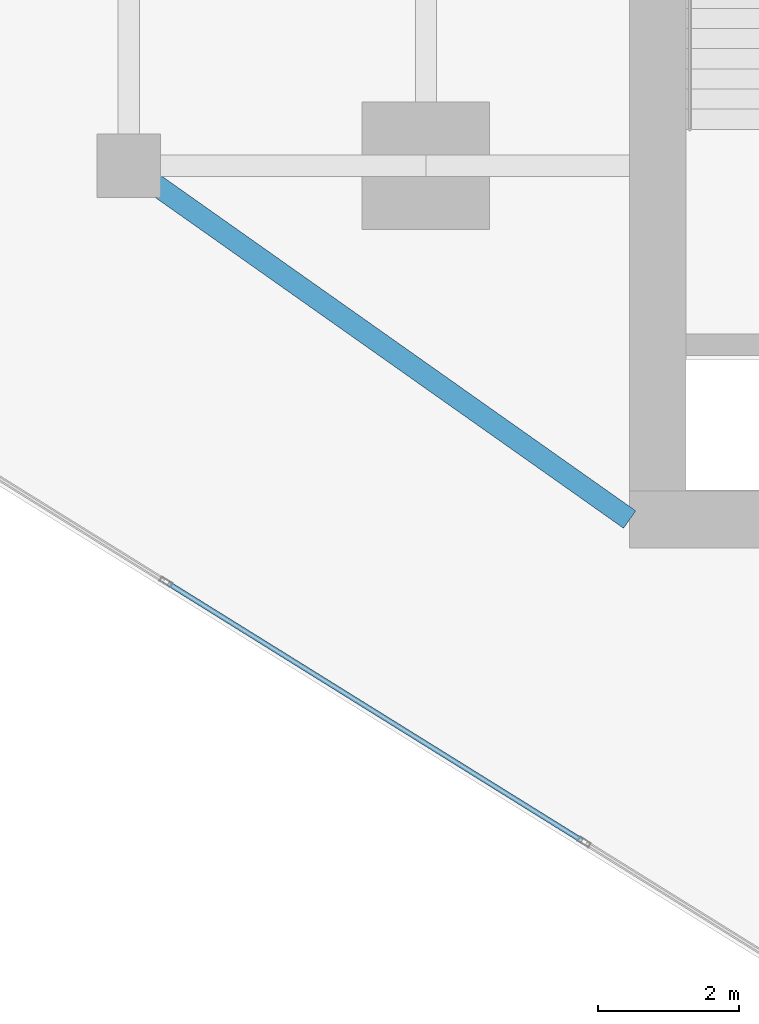
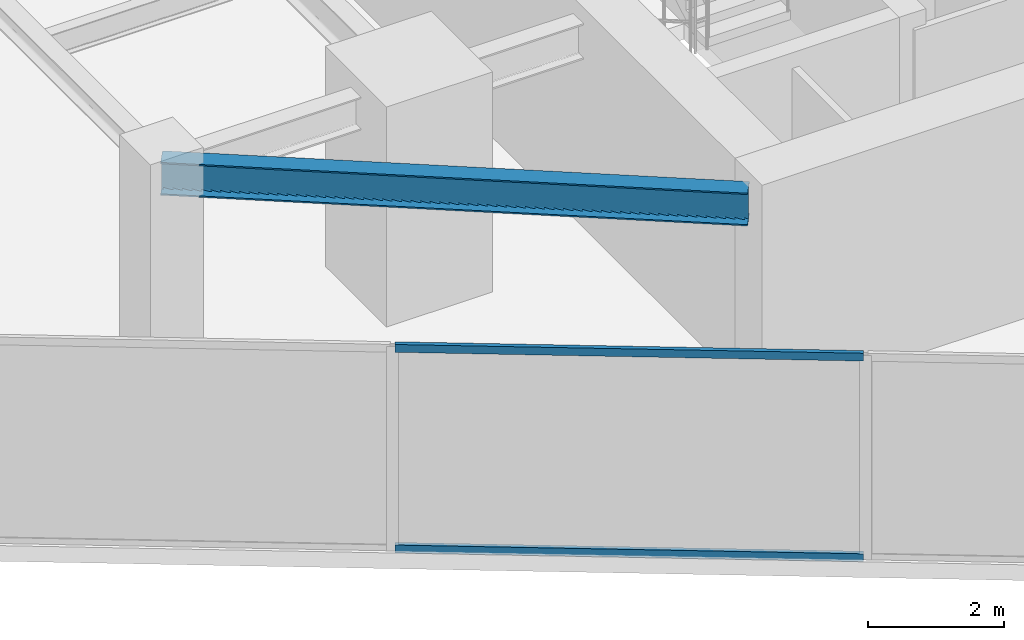
# One storey, part 4 of 25: 2 members, 1 beam, 1 element without a shape of its own.
"""IFC4 building model written with IfcOpenShell, lengths in metres."""

import ifcopenshell
import ifcopenshell.guid

model = None  # the IFC model being written
_history = None  # IfcOwnerHistory: only IFC2X3 demands one
_inside = {}  # id of a spatial element -> (the spatial element, [elements in it])
_under = {}  # id of a project, library or spatial element -> (it, [spatial elements below it])
_declared = {}  # id of a project -> (the project, [libraries it declares])
_typed = {}  # id of a type object -> (the type object, [elements of that type])
_made_of = {}  # id of a material, layer set ... -> (it, [elements and type objects made of it])


def new_model(schema):
    """Start an empty IFC model of exactly this schema.

    Asked for "IFC4X3", IfcOpenShell would pick the latest addendum, in which some entities
    have other attributes; the version numbers below select the first issue.
    IFC2X3 requires an IfcOwnerHistory on every rooted entity: one is made here for all.
    """
    global model, _history
    if schema == "IFC4X3":
        model = ifcopenshell.file(schema_version=(4, 3, 0, 0))
    else:
        model = ifcopenshell.file(schema=schema)
    _inside.clear()
    _under.clear()
    _declared.clear()
    _typed.clear()
    _made_of.clear()
    _history = None
    if model.schema == "IFC2X3":
        org = make("IfcOrganization", Name="unknown")
        user = make(
            "IfcPersonAndOrganization",
            ThePerson=make("IfcPerson", FamilyName="unknown"),
            TheOrganization=org,
        )
        app = make(
            "IfcApplication",
            ApplicationDeveloper=org,
            Version="unknown",
            ApplicationFullName="unknown",
            ApplicationIdentifier="unknown",
        )
        _history = make(
            "IfcOwnerHistory",
            OwningUser=user,
            OwningApplication=app,
            ChangeAction="ADDED",
            CreationDate=0,
        )
    return model


def make(cls, **values):
    """One entity of the class cls with the attributes given. An attribute that is None is left unset."""
    return model.create_entity(
        cls, **{name: value for name, value in values.items() if value is not None}
    )


def rooted(cls, **values):
    """An entity with a GlobalId (a new one), such as an element, a storey or a relation."""
    return make(cls, GlobalId=ifcopenshell.guid.new(), OwnerHistory=_history, **values)


def si_unit(unit_type, name, prefix=None):
    """IfcSIUnit, for example si_unit("LENGTHUNIT", "METRE", prefix="MILLI")."""
    return make("IfcSIUnit", UnitType=unit_type, Prefix=prefix, Name=name)


def assignment(units):
    """IfcUnitAssignment: the units of a project."""
    return None if units is None else make("IfcUnitAssignment", Units=units)


def point(xyz):
    """IfcCartesianPoint."""
    return None if xyz is None else make("IfcCartesianPoint", Coordinates=xyz)


def direction(xyz):
    """IfcDirection."""
    return None if xyz is None else make("IfcDirection", DirectionRatios=xyz)


def frame(location, z_axis=None, x_axis=None):
    """IfcAxis2Placement3D, a coordinate frame: its origin and axes. An axis left out is left unset."""
    return make(
        "IfcAxis2Placement3D",
        Location=point(location),
        Axis=direction(z_axis),
        RefDirection=direction(x_axis),
    )


def frame_2d(location, x_axis=None):
    """IfcAxis2Placement2D, a coordinate frame in the plane: its origin and x axis."""
    return make(
        "IfcAxis2Placement2D", Location=point(location), RefDirection=direction(x_axis)
    )


def origin():
    """The frame at (0, 0, 0) with its axes left unset."""
    return frame((0.0, 0.0, 0.0))


def origin_2d():
    """The frame at (0, 0) in the plane with its x axis left unset."""
    return frame_2d((0.0, 0.0))


def place(relative_to, where):
    """IfcLocalPlacement: puts the frame where relative to a parent placement (None: the world)."""
    return make(
        "IfcLocalPlacement", PlacementRelTo=relative_to, RelativePlacement=where
    )


def context(
    kind, dimensions, precision=None, world=None, true_north=None, identifier=None
):
    """IfcGeometricRepresentationContext, for example the 3D "Model" context."""
    return make(
        "IfcGeometricRepresentationContext",
        ContextIdentifier=identifier,
        ContextType=kind,
        CoordinateSpaceDimension=dimensions,
        Precision=precision,
        WorldCoordinateSystem=world,
        TrueNorth=true_north,
    )


def subcontext(parent, identifier, kind, view, scale=None):
    """IfcGeometricRepresentationSubContext, for example "Body" below "Model"."""
    return make(
        "IfcGeometricRepresentationSubContext",
        ContextIdentifier=identifier,
        ContextType=kind,
        ParentContext=parent,
        TargetScale=scale,
        TargetView=view,
    )


def project(units=None, contexts=None):
    """IfcProject with its units and contexts."""
    return rooted(
        "IfcProject",
        Name="project",
        RepresentationContexts=contexts,
        UnitsInContext=assignment(units),
    )


def spatial(cls, under=None, at=None, **own):
    """A site, building, storey or space (cls), placed at a placement, below another one or the project."""
    s = rooted(cls, ObjectPlacement=at, **own)
    if under is not None:
        _under.setdefault(under.id(), (under, []))[1].append(s)
    return s


def profile(cls, at=None, kind="AREA", **sizes):
    """A parametric profile (cls). Its sizes go by their IFC names, for example OverallWidth=200.0."""
    return make(cls, ProfileType=kind, Position=at, **sizes)


def hollow_rectangle(**sizes):
    """IfcRectangleHollowProfileDef."""
    return profile("IfcRectangleHollowProfileDef", **sizes)


def i_section(**sizes):
    """IfcIShapeProfileDef."""
    return profile("IfcIShapeProfileDef", **sizes)


def extrude(swept, where, along, depth):
    """IfcExtrudedAreaSolid: the profile swept, set in the frame where, extruded along a direction by depth."""
    return make(
        "IfcExtrudedAreaSolid",
        SweptArea=swept,
        Position=where,
        ExtrudedDirection=direction(along),
        Depth=depth,
    )


def shape(context_of_items, identifier, shape_type, items):
    """IfcShapeRepresentation: the items that make up one representation, for example the "Body"."""
    return make(
        "IfcShapeRepresentation",
        ContextOfItems=context_of_items,
        RepresentationIdentifier=identifier,
        RepresentationType=shape_type,
        Items=items,
    )


def source(mapping_origin, context_of_items, identifier, shape_type, items):
    """IfcRepresentationMap: a shape defined once, which mapped items show again and again."""
    return make(
        "IfcRepresentationMap",
        MappingOrigin=mapping_origin,
        MappedRepresentation=shape(context_of_items, identifier, shape_type, items),
    )


def transform(
    local_origin,
    x_axis=None,
    y_axis=None,
    z_axis=None,
    scale=None,
    scale2=None,
    scale3=None,
    uniform=True,
):
    """IfcCartesianTransformationOperator3D, or its non-uniform kind. x_axis, y_axis, z_axis: its Axis1, 2, 3."""
    if uniform:
        return make(
            "IfcCartesianTransformationOperator3D",
            Axis1=direction(x_axis),
            Axis2=direction(y_axis),
            LocalOrigin=point(local_origin),
            Scale=scale,
            Axis3=direction(z_axis),
        )
    return make(
        "IfcCartesianTransformationOperator3DnonUniform",
        Axis1=direction(x_axis),
        Axis2=direction(y_axis),
        LocalOrigin=point(local_origin),
        Scale=scale,
        Axis3=direction(z_axis),
        Scale2=scale2,
        Scale3=scale3,
    )


def mapped(mapping_source, mapping_target):
    """IfcMappedItem: shows the shape of a source again, moved by a transform."""
    return make(
        "IfcMappedItem", MappingSource=mapping_source, MappingTarget=mapping_target
    )


def material(Name=None, Category=None):
    """IfcMaterial."""
    return make("IfcMaterial", Name=Name, Category=Category)


def material_profile(
    of_material, cross_section, Name=None, Category=None, Priority=None
):
    """IfcMaterialProfile: a cross section and its material."""
    return make(
        "IfcMaterialProfile",
        Name=Name,
        Material=of_material,
        Profile=cross_section,
        Priority=Priority,
        Category=Category,
    )


def profile_set(profiles, Name=None, composite=None):
    """IfcMaterialProfileSet."""
    return make(
        "IfcMaterialProfileSet",
        Name=Name,
        MaterialProfiles=profiles,
        CompositeProfile=composite,
    )


def made_of(thing, what):
    """Note that an element or type object is made of a material, layer set ...; save() writes the relation."""
    if what is not None:
        _made_of.setdefault(what.id(), (what, []))[1].append(thing)
    return thing


def type_object(cls, material=None, **own):
    """A type object (cls), such as IfcWallType, which elements share."""
    return made_of(rooted(cls, **own), material)


def type_shapes(of_type, sources):
    """Give a type object the sources (RepresentationMaps) that its elements show as mapped items."""
    of_type.RepresentationMaps = sources


def element(
    cls,
    number,
    at=None,
    inside=None,
    cuts=None,
    type_object=None,
    material=None,
    context=None,
    identifier="Body",
    shape_type=None,
    held_by="IfcProductDefinitionShape",
    body=None,
    shapes=None,
    **own,
):
    """One element of the class cls, such as IfcWall. Its Tag is "e" and its number.

    at: its placement. inside: the storey or other place that contains it. cuts: it is an
    opening in that element (IfcRelVoidsElement). A single representation is given by context,
    identifier, shape_type and body (its items); several are given by shapes. held_by: the class
    of the entity that holds the representations. save() writes the other relations.
    """
    e = rooted(cls, Tag="e%d" % number, ObjectPlacement=at, **own)
    if body is not None:
        shapes = [shape(context, identifier, shape_type, body)]
    if shapes is not None:
        e.Representation = make(held_by, Representations=shapes)
    if inside is not None:
        _inside.setdefault(inside.id(), (inside, []))[1].append(e)
    if cuts is not None:
        rooted(
            "IfcRelVoidsElement", RelatingBuildingElement=cuts, RelatedOpeningElement=e
        )
    if type_object is not None:
        _typed.setdefault(type_object.id(), (type_object, []))[1].append(e)
    return made_of(e, material)


def aggregate(whole, parts):
    """IfcRelAggregates: a whole, such as a stair, and the parts it consists of."""
    return rooted("IfcRelAggregates", RelatingObject=whole, RelatedObjects=parts)


def save(model, path):
    """Write the relations noted so far, then the file.

    IfcRelAggregates (storeys below a building ...), IfcRelContainedInSpatialStructure (elements
    in a storey), IfcRelDefinesByType, IfcRelAssociatesMaterial and IfcRelDeclares: one each for
    every whole, place, type object, material and project.
    """
    for whole, parts in _under.values():
        aggregate(whole, parts)
    for where, things in _inside.values():
        rooted(
            "IfcRelContainedInSpatialStructure",
            RelatedElements=things,
            RelatingStructure=where,
        )
    for kind, things in _typed.values():
        rooted("IfcRelDefinesByType", RelatedObjects=things, RelatingType=kind)
    for what, things in _made_of.values():
        rooted("IfcRelAssociatesMaterial", RelatedObjects=things, RelatingMaterial=what)
    for by, libraries in _declared.values():
        rooted("IfcRelDeclares", RelatingContext=by, RelatedDefinitions=libraries)
    model.write(path)


model = new_model("IFC4")

# Units and contexts
model_context = context("Model", 3, precision=1e-05, world=origin(), true_north=direction((0.0, 1.0)))
body_context = subcontext(model_context, "Body", "Model", "MODEL_VIEW")
ifc_project = project(units=[si_unit("LENGTHUNIT", "METRE"), si_unit("AREAUNIT", "SQUARE_METRE"), si_unit("VOLUMEUNIT", "CUBIC_METRE"), si_unit("PLANEANGLEUNIT", "RADIAN"), si_unit("MASSUNIT", "GRAM", prefix="KILO")], contexts=[model_context])

# Site, building, storey
site_placement = place(None, origin())
site = spatial("IfcSite", under=ifc_project, at=site_placement, CompositionType="ELEMENT")
building_placement = place(site_placement, origin())
building = spatial("IfcBuilding", under=site, at=building_placement, Name="Krantzveldt Concourse Tower", CompositionType="ELEMENT")
storey_placement = place(building_placement, frame((0.0, 0.0, 181.75)))
storey = spatial("IfcBuildingStorey", under=building, at=storey_placement, Name="L44", CompositionType="ELEMENT", Elevation=181.75)

# Beam
ifc_material_1 = material(Name="Steel S355JR", Category="steel")
ifc_material_profile_1 = material_profile(ifc_material_1, i_section(OverallWidth=0.300048828125, OverallDepth=0.590087890625, WebThickness=0.012939453125, FlangeThickness=0.02490234375, FilletRadius=0.027099609375, at=origin_2d()), Name="Steel S355JR", Category="steel")
ifc_profile_set_1 = profile_set([ifc_material_profile_1], Name="Steel S355JR - HEA 600")
beam_type = type_object("IfcBeamType", Name="BM-B-HEA600", PredefinedType="BEAM", material=ifc_profile_set_1)
shared_shape_1 = source(origin(), body_context, "Body", "SweptSolid", [
    extrude(i_section(OverallWidth=0.300048828125, OverallDepth=0.590087890625, WebThickness=0.012939453125, FlangeThickness=0.02490234375, FilletRadius=0.027099609375, at=origin_2d()), origin(), (0.0, 0.0, 1.0), 8.667724609375),
])
type_shapes(beam_type, [shared_shape_1])
beam_placement = place(storey_placement, frame((21.0, 15.89990234375, 3.375), z_axis=(0.81684294656, -0.576860122261, 0.0), x_axis=(0.576860122261, 0.81684294656, 0.0)))
element("IfcBeam", 1, at=beam_placement, inside=storey, type_object=beam_type, Name="L44 Tower Girder BR-CSW", PredefinedType="BEAM", context=body_context, shape_type="MappedRepresentation", body=[
    mapped(shared_shape_1, transform((0.0, 0.0, 0.0), x_axis=(1.0, 0.0, 0.0), y_axis=(0.0, 1.0, 0.0), z_axis=(0.0, 0.0, 1.0), scale=1.0)),
])

# Curtain wall, members
ifc_material_2 = material(Name="Anodised aluminium 6063-T6", Category="aluminium")
curtain_wall_type = type_object("IfcCurtainWallType", Name="CW3", PredefinedType="USERDEFINED", material=ifc_material_2)
curtain_wall_placement = place(storey_placement, origin())
curtain_wall = element("IfcCurtainWall", 2, at=curtain_wall_placement, inside=storey, type_object=curtain_wall_type, Name="CW-L44-F04", ObjectType="UNITISED CURTAIN WALL", PredefinedType="USERDEFINED")
ifc_material_profile_2 = material_profile(ifc_material_2, hollow_rectangle(XDim=0.070068359375, YDim=0.139892578125, WallThickness=0.0048828125, at=origin_2d()), Name="Anodised aluminium 6063-T6", Category="aluminium")
ifc_profile_set_2 = profile_set([ifc_material_profile_2], Name="Anodised aluminium 6063-T6 - ALU-TRAN 140x70x5")
member_type = type_object("IfcMemberType", Name="CW-TRN-150", PredefinedType="USERDEFINED", material=ifc_profile_set_2)
shared_shape_2 = source(origin(), body_context, "Body", "SweptSolid", [
    extrude(hollow_rectangle(XDim=0.070068359375, YDim=0.139892578125, WallThickness=0.0048828125, at=origin_2d()), origin(), (0.0, 0.0, 1.0), 6.89013671875),
])
type_shapes(member_type, [shared_shape_2])
member_1_placement = place(storey_placement, frame((21.557373046875, 9.998046875, 0.034912109375), z_axis=(0.849202443437, -0.528067429464, 0.0), x_axis=(0.528067429464, 0.849202443437, 0.0)))
member_1 = element("IfcMember", 3, at=member_1_placement, type_object=member_type, Name="CW-Z34 transom 3.1", ObjectType="TRANSOM", PredefinedType="USERDEFINED", context=body_context, shape_type="MappedRepresentation", body=[
    mapped(shared_shape_2, transform((0.0, 0.0, 0.0), x_axis=(1.0, 0.0, 0.0), y_axis=(0.0, 1.0, 0.0), z_axis=(0.0, 0.0, 1.0), scale=1.0)),
])
member_2_placement = place(storey_placement, frame((21.557373046875, 9.998046875, 3.635009765625), z_axis=(0.849202443437, -0.528067429464, 0.0), x_axis=(0.528067429464, 0.849202443437, 0.0)))
member_2 = element("IfcMember", 4, at=member_2_placement, type_object=member_type, Name="CW-Z34 transom 3.2", ObjectType="TRANSOM", PredefinedType="USERDEFINED", context=body_context, shape_type="MappedRepresentation", body=[
    mapped(shared_shape_2, transform((0.0, 0.0, 0.0), x_axis=(1.0, 0.0, 0.0), y_axis=(0.0, 1.0, 0.0), z_axis=(0.0, 0.0, 1.0), scale=1.0)),
])
aggregate(curtain_wall, [member_1, member_2])

save(model, "model.ifc")
